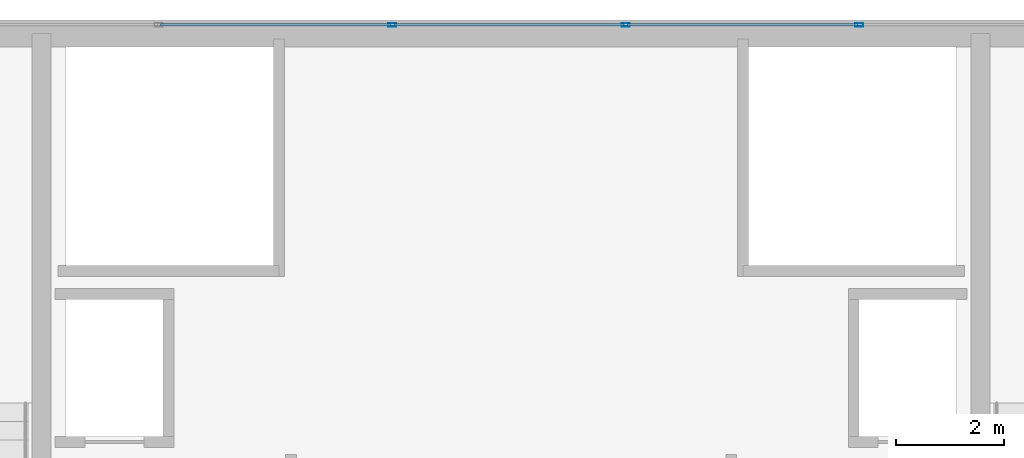
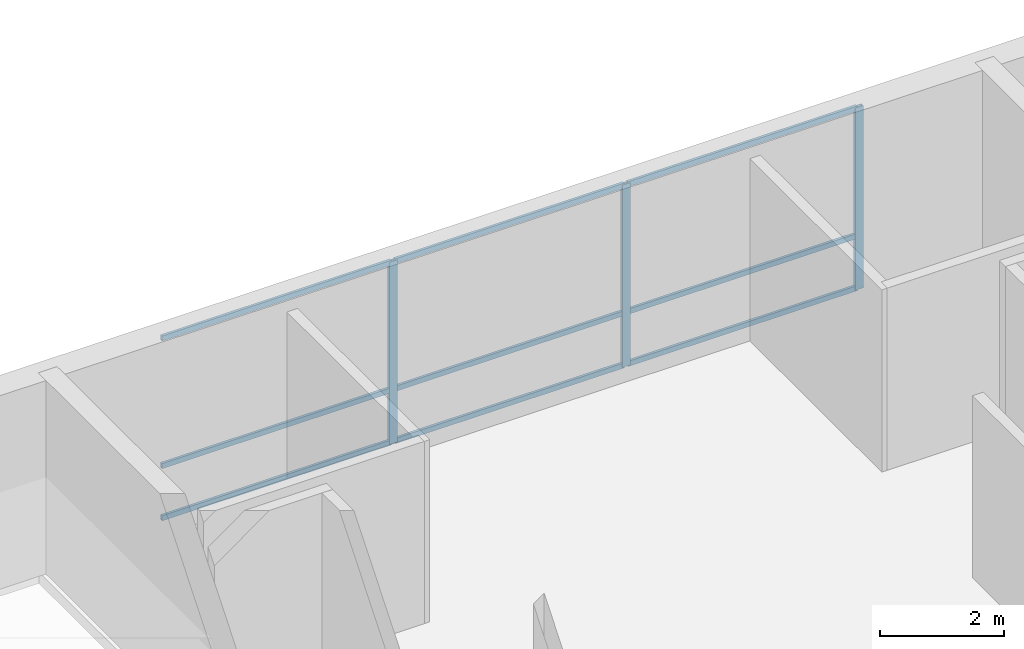
# One storey, part 27 of 36: 12 members, 1 element without a shape of its own.
"""IFC4 building model written with IfcOpenShell, lengths in metres."""

from ifc_helpers import new_model, si_unit, direction, frame, origin, origin_2d, place, context, subcontext, project, spatial, hollow_rectangle, extrude, source, transform, mapped, material, layer, layer_set, material_profile, profile_set, type_object, type_shapes, element, aggregate, save


model = new_model("IFC4")

# Units and contexts
model_context = context("Model", 3, precision=1e-05, world=origin(), true_north=direction((0.0, 1.0)))
body_context = subcontext(model_context, "Body", "Model", "MODEL_VIEW")
ifc_project = project(units=[si_unit("LENGTHUNIT", "METRE"), si_unit("AREAUNIT", "SQUARE_METRE"), si_unit("VOLUMEUNIT", "CUBIC_METRE"), si_unit("PLANEANGLEUNIT", "RADIAN"), si_unit("MASSUNIT", "GRAM", prefix="KILO")], contexts=[model_context])

# Site, building, storey
site_placement = place(None, origin())
site = spatial("IfcSite", under=ifc_project, at=site_placement, CompositionType="ELEMENT")
building_placement = place(site_placement, origin())
building = spatial("IfcBuilding", under=site, at=building_placement, Name="Tolvann Quenvar Hotel", CompositionType="ELEMENT")
storey_placement = place(building_placement, frame((0.0, 0.0, 294.75)))
storey = spatial("IfcBuildingStorey", under=building, at=storey_placement, Name="L78", CompositionType="ELEMENT", Elevation=294.75)

# Curtain wall, members
ifc_material_1 = material(Name="Thermally broken anodised architectural aluminium 6063-T6 and laminated low-E glass", Category="aluminium")
ifc_layer = layer(ifc_material_1, 0.179931640625)
ifc_layer_set = layer_set([ifc_layer], Name="Thermally broken anodised architectural aluminium 6063-T6 and laminated low-E glass")
curtain_wall_type = type_object("IfcCurtainWallType", Name="CW_SYS_LANT_06", PredefinedType="USERDEFINED", material=ifc_layer_set)
curtain_wall_placement = place(storey_placement, origin())
curtain_wall = element("IfcCurtainWall", 1, at=curtain_wall_placement, inside=storey, type_object=curtain_wall_type, Name="Curtain Wall CW-LANT-06 (CWR-L78-E14)", ObjectType="UNITISED CURTAIN WALL", PredefinedType="USERDEFINED")
ifc_material_2 = material(Name="Anodised architectural aluminium 6063-T6 framing", Category="aluminium")
ifc_material_profile_1 = material_profile(ifc_material_2, hollow_rectangle(XDim=0.06494140625, YDim=0.14990234375, WallThickness=0.00390625, at=origin_2d()), Name="150x65x4RHS")
ifc_profile_set_1 = profile_set([ifc_material_profile_1], Name="Anodised architectural aluminium 6063-T6 framing")
member_type_1 = type_object("IfcMemberType", Name="CW_MULL_150x65", PredefinedType="MULLION", material=ifc_profile_set_1)
shared_shape_1 = source(origin(), body_context, "Body", "SweptSolid", [
    extrude(hollow_rectangle(XDim=0.06494140625, YDim=0.14990234375, WallThickness=0.00390625, at=origin_2d()), origin(), (0.0, 0.0, 1.0), 3.580078125),
])
type_shapes(member_type_1, [shared_shape_1])
member_1_placement = place(storey_placement, frame((29.455078125, 44.110107421875, 0.0), z_axis=(0.0, 0.0, 1.0), x_axis=(0.0, -1.0, 0.0)))
member_1 = element("IfcMember", 2, at=member_1_placement, type_object=member_type_1, Name="CW-LANT-06 mullion 2", PredefinedType="MULLION", context=body_context, shape_type="MappedRepresentation", body=[
    mapped(shared_shape_1, transform((0.0, 0.0, 0.0), x_axis=(1.0, 0.0, 0.0), y_axis=(0.0, 1.0, 0.0), z_axis=(0.0, 0.0, 1.0), scale=1.0)),
])
member_2_placement = place(storey_placement, frame((25.127685546875, 44.110107421875, 0.0), z_axis=(0.0, 0.0, 1.0), x_axis=(0.0, -1.0, 0.0)))
member_2 = element("IfcMember", 3, at=member_2_placement, type_object=member_type_1, Name="CW-LANT-06 mullion 3", PredefinedType="MULLION", context=body_context, shape_type="MappedRepresentation", body=[
    mapped(shared_shape_1, transform((0.0, 0.0, 0.0), x_axis=(1.0, 0.0, 0.0), y_axis=(0.0, 1.0, 0.0), z_axis=(0.0, 0.0, 1.0), scale=1.0)),
])
member_3_placement = place(storey_placement, frame((20.800048828125, 44.110107421875, 0.0), z_axis=(0.0, 0.0, 1.0), x_axis=(0.0, -1.0, 0.0)))
member_3 = element("IfcMember", 4, at=member_3_placement, type_object=member_type_1, Name="CW-LANT-06 mullion 4", PredefinedType="MULLION", context=body_context, shape_type="MappedRepresentation", body=[
    mapped(shared_shape_1, transform((0.0, 0.0, 0.0), x_axis=(1.0, 0.0, 0.0), y_axis=(0.0, 1.0, 0.0), z_axis=(0.0, 0.0, 1.0), scale=1.0)),
])
ifc_material_profile_2 = material_profile(ifc_material_2, hollow_rectangle(XDim=0.050048828125, YDim=0.10009765625, WallThickness=0.0029296875, at=origin_2d()), Name="100x50x3RHS")
ifc_profile_set_2 = profile_set([ifc_material_profile_2], Name="Anodised architectural aluminium 6063-T6 framing")
member_type_2 = type_object("IfcMemberType", Name="CW_TRAN_100x50", PredefinedType="USERDEFINED", material=ifc_profile_set_2)
shared_shape_2 = source(origin(), body_context, "Body", "SweptSolid", [
    extrude(hollow_rectangle(XDim=0.050048828125, YDim=0.10009765625, WallThickness=0.0029296875, at=origin_2d()), origin(), (0.0, 0.0, 1.0), 4.2626953125),
])
member_4_placement = place(storey_placement, frame((25.09521484375, 44.110107421875, 0.02490234375), z_axis=(-1.0, 0.0, 0.0), x_axis=(0.0, -1.0, 0.0)))
member_4 = element("IfcMember", 5, at=member_4_placement, type_object=member_type_2, Name="CW-LANT-06 transom 3.1", ObjectType="TRANSOM", PredefinedType="USERDEFINED", context=body_context, shape_type="MappedRepresentation", body=[
    mapped(shared_shape_2, transform((0.0, 0.0, 0.0), x_axis=(1.0, 0.0, 0.0), y_axis=(0.0, 1.0, 0.0), z_axis=(0.0, 0.0, 1.0), scale=1.0)),
])
member_5_placement = place(storey_placement, frame((25.09521484375, 44.110107421875, 1.050048828125), z_axis=(-1.0, 0.0, 0.0), x_axis=(0.0, -1.0, 0.0)))
member_5 = element("IfcMember", 6, at=member_5_placement, type_object=member_type_2, Name="CW-LANT-06 transom 3.2", ObjectType="TRANSOM", PredefinedType="USERDEFINED", context=body_context, shape_type="MappedRepresentation", body=[
    mapped(shared_shape_2, transform((0.0, 0.0, 0.0), x_axis=(1.0, 0.0, 0.0), y_axis=(0.0, 1.0, 0.0), z_axis=(0.0, 0.0, 1.0), scale=1.0)),
])
member_6_placement = place(storey_placement, frame((25.09521484375, 44.110107421875, 3.554931640625), z_axis=(-1.0, 0.0, 0.0), x_axis=(0.0, -1.0, 0.0)))
member_6 = element("IfcMember", 7, at=member_6_placement, type_object=member_type_2, Name="CW-LANT-06 transom 3.3", ObjectType="TRANSOM", PredefinedType="USERDEFINED", context=body_context, shape_type="MappedRepresentation", body=[
    mapped(shared_shape_2, transform((0.0, 0.0, 0.0), x_axis=(1.0, 0.0, 0.0), y_axis=(0.0, 1.0, 0.0), z_axis=(0.0, 0.0, 1.0), scale=1.0)),
])
member_7_placement = place(storey_placement, frame((20.767578125, 44.110107421875, 0.02490234375), z_axis=(-1.0, 0.0, 0.0), x_axis=(0.0, -1.0, 0.0)))
member_7 = element("IfcMember", 8, at=member_7_placement, type_object=member_type_2, Name="CW-LANT-06 transom 4.1", ObjectType="TRANSOM", PredefinedType="USERDEFINED", context=body_context, shape_type="MappedRepresentation", body=[
    mapped(shared_shape_2, transform((0.0, 0.0, 0.0), x_axis=(1.0, 0.0, 0.0), y_axis=(0.0, 1.0, 0.0), z_axis=(0.0, 0.0, 1.0), scale=1.0)),
])
member_8_placement = place(storey_placement, frame((20.767578125, 44.110107421875, 1.050048828125), z_axis=(-1.0, 0.0, 0.0), x_axis=(0.0, -1.0, 0.0)))
member_8 = element("IfcMember", 9, at=member_8_placement, type_object=member_type_2, Name="CW-LANT-06 transom 4.2", ObjectType="TRANSOM", PredefinedType="USERDEFINED", context=body_context, shape_type="MappedRepresentation", body=[
    mapped(shared_shape_2, transform((0.0, 0.0, 0.0), x_axis=(1.0, 0.0, 0.0), y_axis=(0.0, 1.0, 0.0), z_axis=(0.0, 0.0, 1.0), scale=1.0)),
])
member_9_placement = place(storey_placement, frame((20.767578125, 44.110107421875, 3.554931640625), z_axis=(-1.0, 0.0, 0.0), x_axis=(0.0, -1.0, 0.0)))
member_9 = element("IfcMember", 10, at=member_9_placement, type_object=member_type_2, Name="CW-LANT-06 transom 4.3", ObjectType="TRANSOM", PredefinedType="USERDEFINED", context=body_context, shape_type="MappedRepresentation", body=[
    mapped(shared_shape_2, transform((0.0, 0.0, 0.0), x_axis=(1.0, 0.0, 0.0), y_axis=(0.0, 1.0, 0.0), z_axis=(0.0, 0.0, 1.0), scale=1.0)),
])
shared_shape_3 = source(origin(), body_context, "Body", "SweptSolid", [
    extrude(hollow_rectangle(XDim=0.050048828125, YDim=0.10009765625, WallThickness=0.0029296875, at=origin_2d()), origin(), (0.0, 0.0, 1.0), 4.262451171875),
])
type_shapes(member_type_2, [shared_shape_2, shared_shape_3])
member_10_placement = place(storey_placement, frame((29.422607421875, 44.110107421875, 0.02490234375), z_axis=(-1.0, 0.0, 0.0), x_axis=(0.0, -1.0, 0.0)))
member_10 = element("IfcMember", 11, at=member_10_placement, type_object=member_type_2, Name="CW-LANT-06 transom 2.1", ObjectType="TRANSOM", PredefinedType="USERDEFINED", context=body_context, shape_type="MappedRepresentation", body=[
    mapped(shared_shape_3, transform((0.0, 0.0, 0.0), x_axis=(1.0, 0.0, 0.0), y_axis=(0.0, 1.0, 0.0), z_axis=(0.0, 0.0, 1.0), scale=1.0)),
])
member_11_placement = place(storey_placement, frame((29.422607421875, 44.110107421875, 1.050048828125), z_axis=(-1.0, 0.0, 0.0), x_axis=(0.0, -1.0, 0.0)))
member_11 = element("IfcMember", 12, at=member_11_placement, type_object=member_type_2, Name="CW-LANT-06 transom 2.2", ObjectType="TRANSOM", PredefinedType="USERDEFINED", context=body_context, shape_type="MappedRepresentation", body=[
    mapped(shared_shape_3, transform((0.0, 0.0, 0.0), x_axis=(1.0, 0.0, 0.0), y_axis=(0.0, 1.0, 0.0), z_axis=(0.0, 0.0, 1.0), scale=1.0)),
])
member_12_placement = place(storey_placement, frame((29.422607421875, 44.110107421875, 3.554931640625), z_axis=(-1.0, 0.0, 0.0), x_axis=(0.0, -1.0, 0.0)))
member_12 = element("IfcMember", 13, at=member_12_placement, type_object=member_type_2, Name="CW-LANT-06 transom 2.3", ObjectType="TRANSOM", PredefinedType="USERDEFINED", context=body_context, shape_type="MappedRepresentation", body=[
    mapped(shared_shape_3, transform((0.0, 0.0, 0.0), x_axis=(1.0, 0.0, 0.0), y_axis=(0.0, 1.0, 0.0), z_axis=(0.0, 0.0, 1.0), scale=1.0)),
])
aggregate(curtain_wall, [member_1, member_2, member_3, member_10, member_11, member_12, member_4, member_5, member_6, member_7, member_8, member_9])

save(model, "model.ifc")
